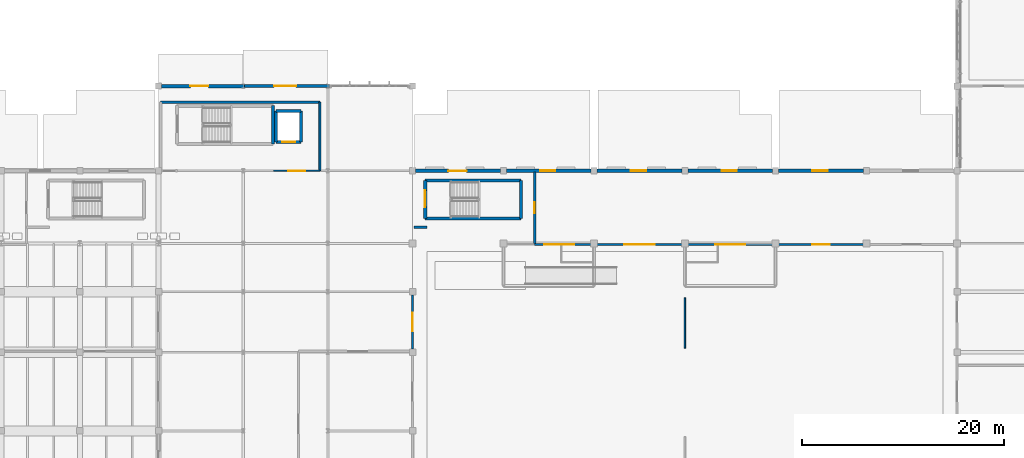
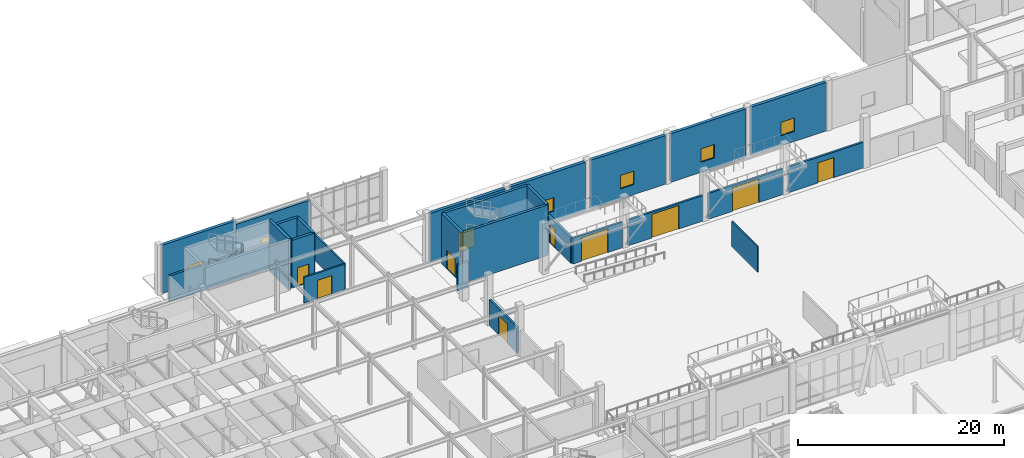
# One storey, part 81 of 110: 27 walls, 12 doors, 4 windows, 16 openings.
"""IFC4 building model written with IfcOpenShell, lengths in metres."""

from ifc_helpers import new_model, si_unit, direction, frame, frame_2d, origin, place, context, subcontext, project, spatial, rectangle, extrude, material, layer, layer_set, type_object, element, fill, save


model = new_model("IFC4")

# Units and contexts
model_context = context("Model", 3, precision=1e-05, world=origin(), true_north=direction((0.0, 1.0)))
body_context = subcontext(model_context, "Body", "Model", "MODEL_VIEW")
ifc_project = project(units=[si_unit("LENGTHUNIT", "METRE"), si_unit("AREAUNIT", "SQUARE_METRE"), si_unit("VOLUMEUNIT", "CUBIC_METRE"), si_unit("PLANEANGLEUNIT", "RADIAN"), si_unit("MASSUNIT", "GRAM", prefix="KILO")], contexts=[model_context])

# Site, building, storey
site_placement = place(None, origin())
site = spatial("IfcSite", under=ifc_project, at=site_placement, CompositionType="ELEMENT")
building_placement = place(site_placement, origin())
building = spatial("IfcBuilding", under=site, at=building_placement, Name="Tizgana Railside Sports Hall", CompositionType="ELEMENT")
storey_placement = place(building_placement, origin())
storey = spatial("IfcBuildingStorey", under=building, at=storey_placement, Name="L00", CompositionType="ELEMENT", Elevation=0.0)

# Wall
ifc_material_1 = material(Name="Concrete C40/50", Category="concrete")
ifc_layer_1 = layer(ifc_material_1, 0.300048828125, Name="Concrete C40/50")
ifc_layer_set_1 = layer_set([ifc_layer_1], Name="Concrete C40/50")
wall_type_1 = type_object("IfcWallType", Name="Core Shear Wall 300", PredefinedType="SHEAR", material=ifc_layer_set_1)
wall_1_placement = place(storey_placement, frame((65.949951171875, 83.050048828125, 0.0), z_axis=(0.0, 0.0, 1.0), x_axis=(0.0, 1.0, 0.0)))
element("IfcWall", 1, at=wall_1_placement, inside=storey, type_object=wall_type_1, Name="L00 C4 Shaft Wall E", PredefinedType="SHEAR", context=body_context, shape_type="SweptSolid", body=[
    extrude(rectangle(XDim=3.800048828125, YDim=0.300048828125, at=frame_2d((1.89990234375, 0.0))), origin(), (0.0, 0.0, 1.0), 6.0),
])

# Wall, opening, door
wall_2_placement = place(storey_placement, frame((66.25, 83.25, 0.0), z_axis=(0.0, 0.0, 1.0), x_axis=(1.0, 0.0, 0.0)))
wall_2 = element("IfcWall", 2, at=wall_2_placement, inside=storey, type_object=wall_type_1, Name="L00 LF-02 Shaft Wall S", PredefinedType="SHEAR", context=body_context, shape_type="SweptSolid", body=[
    extrude(rectangle(XDim=2.5, YDim=0.300048828125, at=frame_2d((1.25, 0.0))), origin(), (0.0, 0.0, 1.0), 5.659912109375),
])
opening_1_placement = place(wall_2_placement, frame((0.60009765625, 0.0, 0.0)))
opening_1 = element("IfcOpeningElement", 3, at=opening_1_placement, cuts=wall_2, Name="Opening D-0076", PredefinedType="OPENING", context=body_context, shape_type="SweptSolid", body=[
    extrude(rectangle(XDim=1.300048828125, YDim=2.199951171875, at=frame_2d((0.64990234375, 1.10009765625))), frame((0.0, 0.159912109375, 0.0), z_axis=(0.0, -1.0, 0.0), x_axis=(1.0, 0.0, 0.0)), (0.0, 0.0, 1.0), 0.320068359375),
])
ifc_material_2 = material(Name="Brushed stainless steel", Category="steel")
door_type_1 = type_object("IfcDoorType", Name="Stretcher Lift Sliding Door 1300x2200", OperationType="NOTDEFINED", PredefinedType="DOOR", material=ifc_material_2)
door_1_placement = place(opening_1_placement, origin())
door_1 = element("IfcDoor", 4, at=door_1_placement, inside=storey, type_object=door_type_1, Name="L00 Door D-0076", OperationType="DOUBLE_DOOR_SLIDING", OverallHeight=2.199951171875, OverallWidth=1.300048828125, PredefinedType="DOOR", context=body_context, shape_type="SweptSolid", body=[
    extrude(rectangle(XDim=1.300048828125, YDim=2.199951171875, at=frame_2d((0.64990234375, 1.10009765625))), frame((0.0, 0.02490234375, 0.0), z_axis=(0.0, -1.0, 0.0), x_axis=(1.0, 0.0, 0.0)), (0.0, 0.0, 1.0), 0.050048828125),
])
fill(opening_1, door_1)

# Walls
wall_3_placement = place(storey_placement, frame((66.25, 86.35009765625, 0.0), z_axis=(0.0, 0.0, 1.0), x_axis=(1.0, 0.0, 0.0)))
element("IfcWall", 5, at=wall_3_placement, inside=storey, type_object=wall_type_1, Name="L00 LF-02 Shaft Wall N", PredefinedType="SHEAR", context=body_context, shape_type="SweptSolid", body=[
    extrude(rectangle(XDim=2.5, YDim=0.300048828125, at=frame_2d((1.25, 0.0))), origin(), (0.0, 0.0, 1.0), 5.659912109375),
])
for number, where, z_axis, x_axis, name in (
    (6, (66.25, 83.25, 0.0), (0.0, 0.0, 1.0), (0.0, 1.0, 0.0), "L00 LF-02 Shaft Wall W"),
    (7, (68.75, 83.25, 0.0), (0.0, 0.0, 1.0), (0.0, 1.0, 0.0), "L00 LF-02 Shaft Wall E"),
):
    element("IfcWall", number, at=place(storey_placement, frame(where, z_axis=z_axis, x_axis=x_axis)), inside=storey, type_object=wall_type_1, Name=name, PredefinedType="SHEAR", context=body_context, shape_type="SweptSolid", body=[
        extrude(rectangle(XDim=3.10009765625, YDim=0.300048828125, at=frame_2d((1.550048828125, 0.0))), origin(), (0.0, 0.0, 1.0), 5.659912109375),
    ])
for number, where, z_axis, x_axis, name in (
    (8, (90.550048828125, 75.64990234375, 0.0), (0.0, 0.0, 1.0), (-1.0, 0.0, 0.0), "L00 C8 Shaft Wall S"),
    (9, (81.050048828125, 79.449951171875, 0.0), (0.0, 0.0, 1.0), (1.0, 0.0, 0.0), "L00 C8 Shaft Wall N"),
):
    element("IfcWall", number, at=place(storey_placement, frame(where, z_axis=z_axis, x_axis=x_axis)), inside=storey, type_object=wall_type_1, Name=name, PredefinedType="SHEAR", context=body_context, shape_type="SweptSolid", body=[
        extrude(rectangle(XDim=9.5, YDim=0.300048828125, at=frame_2d((4.75, 0.0))), origin(), (0.0, 0.0, 1.0), 6.0),
    ])

# Wall, opening, door
wall_4_placement = place(storey_placement, frame((81.050048828125, 75.64990234375, 0.0), z_axis=(0.0, 0.0, 1.0), x_axis=(0.0, 1.0, 0.0)))
wall_4 = element("IfcWall", 10, at=wall_4_placement, inside=storey, type_object=wall_type_1, Name="L00 C8 Shaft Wall W", PredefinedType="SHEAR", context=body_context, shape_type="SweptSolid", body=[
    extrude(rectangle(XDim=3.800048828125, YDim=0.300048828125, at=frame_2d((1.89990234375, 0.0))), origin(), (0.0, 0.0, 1.0), 6.0),
])
opening_2_placement = place(wall_4_placement, frame((1.14990234375, 0.0, 0.0)))
opening_2 = element("IfcOpeningElement", 11, at=opening_2_placement, cuts=wall_4, Name="Opening D-0094", PredefinedType="OPENING", context=body_context, shape_type="SweptSolid", body=[
    extrude(rectangle(XDim=1.64990234375, YDim=2.199951171875, at=frame_2d((0.824951171875, 1.10009765625))), frame((0.0, 0.159912109375, 0.0), z_axis=(0.0, -1.0, 0.0), x_axis=(1.0, 0.0, 0.0)), (0.0, 0.0, 1.0), 0.320068359375),
])
ifc_material_3 = material(Name="Timber fire leaf", Category="wood")
door_type_2 = type_object("IfcDoorType", Name="Stair Core Double Fire Door 1650x2200", OperationType="NOTDEFINED", PredefinedType="DOOR", material=ifc_material_3)
door_2_placement = place(opening_2_placement, origin())
door_2 = element("IfcDoor", 12, at=door_2_placement, inside=storey, type_object=door_type_2, Name="L00 Door D-0094", OperationType="DOUBLE_DOOR_SINGLE_SWING", OverallHeight=2.199951171875, OverallWidth=1.64990234375, PredefinedType="DOOR", context=body_context, shape_type="SweptSolid", body=[
    extrude(rectangle(XDim=1.64990234375, YDim=2.199951171875, at=frame_2d((0.824951171875, 1.10009765625))), frame((0.0, 0.02490234375, 0.0), z_axis=(0.0, -1.0, 0.0), x_axis=(1.0, 0.0, 0.0)), (0.0, 0.0, 1.0), 0.050048828125),
])
fill(opening_2, door_2)

# Walls
wall_5_placement = place(storey_placement, frame((90.550048828125, 75.64990234375, 0.0), z_axis=(0.0, 0.0, 1.0), x_axis=(0.0, 1.0, 0.0)))
element("IfcWall", 13, at=wall_5_placement, inside=storey, type_object=wall_type_1, Name="L00 C8 Shaft Wall E", PredefinedType="SHEAR", context=body_context, shape_type="SweptSolid", body=[
    extrude(rectangle(XDim=3.800048828125, YDim=0.300048828125, at=frame_2d((1.89990234375, 0.0))), origin(), (0.0, 0.0, 1.0), 6.0),
])
ifc_material_4 = material(Name="Acoustic perforated timber", Category="wood")
ifc_layer_2 = layer(ifc_material_4, 0.139892578125, Name="Acoustic perforated timber")
ifc_layer_set_2 = layer_set([ifc_layer_2], Name="Acoustic perforated timber")
wall_type_2 = type_object("IfcWallType", Name="Court Acoustic Divider Wall 140", PredefinedType="MOVABLE", material=ifc_layer_set_2)
wall_6_placement = place(storey_placement, frame((106.800048828125, 62.800048828125, 0.0), z_axis=(0.0, 0.0, 1.0), x_axis=(0.0, 1.0, 0.0)))
element("IfcWall", 14, at=wall_6_placement, inside=storey, type_object=wall_type_2, Name="L00 Partition PWAL-0295", PredefinedType="MOVABLE", context=body_context, shape_type="SweptSolid", body=[
    extrude(rectangle(XDim=5.0, YDim=0.139892578125, at=frame_2d((2.5, 0.0))), origin(), (0.0, 0.0, 1.0), 3.050048828125),
])

# Wall, opening, door
ifc_material_5 = material(Name="Masonry blockwork", Category="masonry")
ifc_layer_3 = layer(ifc_material_5, 0.219970703125, Name="Masonry blockwork")
ifc_layer_set_3 = layer_set([ifc_layer_3], Name="Masonry blockwork")
wall_type_3 = type_object("IfcWallType", Name="Equipment Store Fire Wall 220", PredefinedType="STANDARD", material=ifc_layer_set_3)
wall_7_placement = place(storey_placement, frame((91.89990234375, 73.10009765625, 0.0), z_axis=(0.0, 0.0, 1.0), x_axis=(1.0, 0.0, 0.0)))
wall_7 = element("IfcWall", 15, at=wall_7_placement, inside=storey, type_object=wall_type_3, Name="L00 Partition PWAL-0263", PredefinedType="STANDARD", context=body_context, shape_type="SweptSolid", body=[
    extrude(rectangle(XDim=5.60009765625, YDim=0.219970703125, at=frame_2d((2.800048828125, 0.0))), origin(), (0.0, 0.0, 1.0), 3.050048828125),
])
opening_3_placement = place(wall_7_placement, frame((0.949951171875, 0.0, 0.0)))
opening_3 = element("IfcOpeningElement", 16, at=opening_3_placement, cuts=wall_7, Name="Opening D-0251", PredefinedType="OPENING", context=body_context, shape_type="SweptSolid", body=[
    extrude(rectangle(XDim=3.0, YDim=2.800048828125, at=frame_2d((1.5, 1.39990234375))), frame((0.0, 0.119873046875, 0.0), z_axis=(0.0, -1.0, 0.0), x_axis=(1.0, 0.0, 0.0)), (0.0, 0.0, 1.0), 0.239990234375),
])
ifc_material_6 = material(Name="Galvanised steel sheet", Category="steel")
door_type_3 = type_object("IfcDoorType", Name="Court Acoustic Equipment Shutter 3000x2800", OperationType="NOTDEFINED", PredefinedType="GATE", material=ifc_material_6)
door_3_placement = place(opening_3_placement, origin())
door_3 = element("IfcDoor", 17, at=door_3_placement, inside=storey, type_object=door_type_3, Name="L00 Door D-0251", OperationType="DOUBLE_DOOR_SINGLE_SWING", OverallHeight=2.800048828125, OverallWidth=3.0, PredefinedType="GATE", context=body_context, shape_type="SweptSolid", body=[
    extrude(rectangle(XDim=3.0, YDim=2.800048828125, at=frame_2d((1.5, 1.39990234375))), frame((0.0, 0.02490234375, 0.0), z_axis=(0.0, -1.0, 0.0), x_axis=(1.0, 0.0, 0.0)), (0.0, 0.0, 1.0), 0.050048828125),
])
fill(opening_3, door_3)

wall_8_placement = place(storey_placement, frame((98.10009765625, 73.10009765625, 0.0), z_axis=(0.0, 0.0, 1.0), x_axis=(1.0, 0.0, 0.0)))
wall_8 = element("IfcWall", 18, at=wall_8_placement, inside=storey, type_object=wall_type_3, Name="L00 Partition PWAL-0264", PredefinedType="STANDARD", context=body_context, shape_type="SweptSolid", body=[
    extrude(rectangle(XDim=8.39990234375, YDim=0.219970703125, at=frame_2d((4.199951171875, 0.0))), origin(), (0.0, 0.0, 1.0), 3.050048828125),
])
opening_4_placement = place(wall_8_placement, frame((2.699951171875, 0.0, 0.0)))
opening_4 = element("IfcOpeningElement", 19, at=opening_4_placement, cuts=wall_8, Name="Opening D-0252", PredefinedType="OPENING", context=body_context, shape_type="SweptSolid", body=[
    extrude(rectangle(XDim=3.0, YDim=2.800048828125, at=frame_2d((1.5, 1.39990234375))), frame((0.0, 0.119873046875, 0.0), z_axis=(0.0, -1.0, 0.0), x_axis=(1.0, 0.0, 0.0)), (0.0, 0.0, 1.0), 0.239990234375),
])
door_4_placement = place(opening_4_placement, origin())
door_4 = element("IfcDoor", 20, at=door_4_placement, inside=storey, type_object=door_type_3, Name="L00 Door D-0252", OperationType="DOUBLE_DOOR_SINGLE_SWING", OverallHeight=2.800048828125, OverallWidth=3.0, PredefinedType="GATE", context=body_context, shape_type="SweptSolid", body=[
    extrude(rectangle(XDim=3.0, YDim=2.800048828125, at=frame_2d((1.5, 1.39990234375))), frame((0.0, 0.02490234375, 0.0), z_axis=(0.0, -1.0, 0.0), x_axis=(1.0, 0.0, 0.0)), (0.0, 0.0, 1.0), 0.050048828125),
])
fill(opening_4, door_4)

wall_9_placement = place(storey_placement, frame((107.10009765625, 73.10009765625, 0.0), z_axis=(0.0, 0.0, 1.0), x_axis=(1.0, 0.0, 0.0)))
wall_9 = element("IfcWall", 21, at=wall_9_placement, inside=storey, type_object=wall_type_3, Name="L00 Partition PWAL-0265", PredefinedType="STANDARD", context=body_context, shape_type="SweptSolid", body=[
    extrude(rectangle(XDim=8.39990234375, YDim=0.219970703125, at=frame_2d((4.199951171875, 0.0))), origin(), (0.0, 0.0, 1.0), 3.050048828125),
])
opening_5_placement = place(wall_9_placement, frame((2.699951171875, 0.0, 0.0)))
opening_5 = element("IfcOpeningElement", 22, at=opening_5_placement, cuts=wall_9, Name="Opening D-0253", PredefinedType="OPENING", context=body_context, shape_type="SweptSolid", body=[
    extrude(rectangle(XDim=3.0, YDim=2.800048828125, at=frame_2d((1.5, 1.39990234375))), frame((0.0, 0.119873046875, 0.0), z_axis=(0.0, -1.0, 0.0), x_axis=(1.0, 0.0, 0.0)), (0.0, 0.0, 1.0), 0.239990234375),
])
door_5_placement = place(opening_5_placement, origin())
door_5 = element("IfcDoor", 23, at=door_5_placement, inside=storey, type_object=door_type_3, Name="L00 Door D-0253", OperationType="DOUBLE_DOOR_SINGLE_SWING", OverallHeight=2.800048828125, OverallWidth=3.0, PredefinedType="GATE", context=body_context, shape_type="SweptSolid", body=[
    extrude(rectangle(XDim=3.0, YDim=2.800048828125, at=frame_2d((1.5, 1.39990234375))), frame((0.0, 0.02490234375, 0.0), z_axis=(0.0, -1.0, 0.0), x_axis=(1.0, 0.0, 0.0)), (0.0, 0.0, 1.0), 0.050048828125),
])
fill(opening_5, door_5)

wall_10_placement = place(storey_placement, frame((116.10009765625, 73.10009765625, 0.0), z_axis=(0.0, 0.0, 1.0), x_axis=(1.0, 0.0, 0.0)))
wall_10 = element("IfcWall", 24, at=wall_10_placement, inside=storey, type_object=wall_type_3, Name="L00 Partition PWAL-0266", PredefinedType="STANDARD", context=body_context, shape_type="SweptSolid", body=[
    extrude(rectangle(XDim=8.39990234375, YDim=0.219970703125, at=frame_2d((4.199951171875, 0.0))), origin(), (0.0, 0.0, 1.0), 3.050048828125),
])
opening_6_placement = place(wall_10_placement, frame((3.324951171875, 0.0, 0.0)))
opening_6 = element("IfcOpeningElement", 25, at=opening_6_placement, cuts=wall_10, Name="Opening D-0254", PredefinedType="OPENING", context=body_context, shape_type="SweptSolid", body=[
    extrude(rectangle(XDim=1.75, YDim=2.39990234375, at=frame_2d((0.875, 1.199951171875))), frame((0.0, 0.119873046875, 0.0), z_axis=(0.0, -1.0, 0.0), x_axis=(1.0, 0.0, 0.0)), (0.0, 0.0, 1.0), 0.239990234375),
])
door_type_4 = type_object("IfcDoorType", Name="Equipment Store Double Fire Door 1750x2400", OperationType="NOTDEFINED", PredefinedType="DOOR", material=ifc_material_6)
door_6_placement = place(opening_6_placement, origin())
door_6 = element("IfcDoor", 26, at=door_6_placement, inside=storey, type_object=door_type_4, Name="L00 Door D-0254", OperationType="DOUBLE_DOOR_SINGLE_SWING", OverallHeight=2.39990234375, OverallWidth=1.75, PredefinedType="DOOR", context=body_context, shape_type="SweptSolid", body=[
    extrude(rectangle(XDim=1.75, YDim=2.39990234375, at=frame_2d((0.875, 1.199951171875))), frame((0.0, 0.02490234375, 0.0), z_axis=(0.0, -1.0, 0.0), x_axis=(1.0, 0.0, 0.0)), (0.0, 0.0, 1.0), 0.050048828125),
])
fill(opening_6, door_6)

wall_11_placement = place(storey_placement, frame((79.800048828125, 62.699951171875, 0.0), z_axis=(0.0, 0.0, 1.0), x_axis=(0.0, 1.0, 0.0)))
wall_11 = element("IfcWall", 27, at=wall_11_placement, inside=storey, type_object=wall_type_3, Name="L00 Partition PWAL-0276", PredefinedType="STANDARD", context=body_context, shape_type="SweptSolid", body=[
    extrude(rectangle(XDim=5.400146484375, YDim=0.219970703125, at=frame_2d((2.7001953125, 0.0))), origin(), (0.0, 0.0, 1.0), 3.050048828125),
])
opening_7_placement = place(wall_11_placement, frame((1.800048828125, 0.0, 0.0)))
opening_7 = element("IfcOpeningElement", 28, at=opening_7_placement, cuts=wall_11, Name="Opening D-0264", PredefinedType="OPENING", context=body_context, shape_type="SweptSolid", body=[
    extrude(rectangle(XDim=1.800048828125, YDim=2.300048828125, at=frame_2d((0.89990234375, 1.14990234375))), frame((0.0, 0.119873046875, 0.0), z_axis=(0.0, -1.0, 0.0), x_axis=(1.0, 0.0, 0.0)), (0.0, 0.0, 1.0), 0.239990234375),
])
ifc_material_7 = material(Name="Solid beech timber", Category="wood")
door_type_5 = type_object("IfcDoorType", Name="Spectator Vomitory Double Door 1800x2300", OperationType="NOTDEFINED", PredefinedType="DOOR", material=ifc_material_7)
door_7_placement = place(opening_7_placement, origin())
door_7 = element("IfcDoor", 29, at=door_7_placement, inside=storey, type_object=door_type_5, Name="L00 Door D-0264", OperationType="DOUBLE_DOOR_SINGLE_SWING", OverallHeight=2.300048828125, OverallWidth=1.800048828125, PredefinedType="DOOR", context=body_context, shape_type="SweptSolid", body=[
    extrude(rectangle(XDim=1.800048828125, YDim=2.300048828125, at=frame_2d((0.89990234375, 1.14990234375))), frame((0.0, 0.02490234375, 0.0), z_axis=(0.0, -1.0, 0.0), x_axis=(1.0, 0.0, 0.0)), (0.0, 0.0, 1.0), 0.050048828125),
])
fill(opening_7, door_7)

ifc_material_8 = material(Name="Concrete C35/45", Category="concrete")
ifc_layer_4 = layer(ifc_material_8, 0.340087890625, Name="Concrete C35/45")
ifc_layer_set_4 = layer_set([ifc_layer_4], Name="Concrete C35/45")
wall_type_4 = type_object("IfcWallType", Name="Exterior Insulated Concrete Wall 340", PredefinedType="STANDARD", material=ifc_layer_set_4)
wall_12_placement = place(storey_placement, frame((80.090087890625, 80.39990234375, 0.0), z_axis=(0.0, 0.0, 1.0), x_axis=(1.0, 0.0, 0.0)))
wall_12 = element("IfcWall", 30, at=wall_12_placement, inside=storey, type_object=wall_type_4, Name="L00 Exterior Wall EWAL-0028", PredefinedType="STANDARD", context=body_context, shape_type="SweptSolid", body=[
    extrude(rectangle(XDim=8.419921875, YDim=0.340087890625, at=frame_2d((4.2099609375, 0.0))), origin(), (0.0, 0.0, 1.0), 5.760009765625),
])
opening_8_placement = place(wall_12_placement, frame((3.260009765625, 0.0, 0.0)))
opening_8 = element("IfcOpeningElement", 31, at=opening_8_placement, cuts=wall_12, Name="Opening D-0009", PredefinedType="OPENING", context=body_context, shape_type="SweptSolid", body=[
    extrude(rectangle(XDim=1.800048828125, YDim=2.25, at=frame_2d((0.89990234375, 1.125))), frame((0.0, 0.179931640625, 0.0), z_axis=(0.0, -1.0, 0.0), x_axis=(1.0, 0.0, 0.0)), (0.0, 0.0, 1.0), 0.360107421875),
])
door_type_6 = type_object("IfcDoorType", Name="Protected Stair Final Exit Door 1800x2250", OperationType="NOTDEFINED", PredefinedType="DOOR", material=ifc_material_6)
door_8_placement = place(opening_8_placement, origin())
door_8 = element("IfcDoor", 32, at=door_8_placement, inside=storey, type_object=door_type_6, Name="L00 Door D-0009", OperationType="DOUBLE_DOOR_SINGLE_SWING", OverallHeight=2.25, OverallWidth=1.800048828125, PredefinedType="DOOR", context=body_context, shape_type="SweptSolid", body=[
    extrude(rectangle(XDim=1.800048828125, YDim=2.25, at=frame_2d((0.89990234375, 1.125))), frame((0.0, 0.02490234375, 0.0), z_axis=(0.0, -1.0, 0.0), x_axis=(1.0, 0.0, 0.0)), (0.0, 0.0, 1.0), 0.050048828125),
])
fill(opening_8, door_8)

# Wall, opening, window
wall_13_placement = place(storey_placement, frame((89.090087890625, 80.39990234375, 0.0), z_axis=(0.0, 0.0, 1.0), x_axis=(1.0, 0.0, 0.0)))
wall_13 = element("IfcWall", 33, at=wall_13_placement, inside=storey, type_object=wall_type_4, Name="L00 Exterior Wall EWAL-0033", PredefinedType="STANDARD", context=body_context, shape_type="SweptSolid", body=[
    extrude(rectangle(XDim=8.419921875, YDim=0.340087890625, at=frame_2d((4.2099609375, 0.0))), origin(), (0.0, 0.0, 1.0), 5.760009765625),
])
opening_9_placement = place(wall_13_placement, frame((3.360107421875, 0.0, 1.199951171875)))
opening_9 = element("IfcOpeningElement", 34, at=opening_9_placement, cuts=wall_13, Name="Opening W-0026", PredefinedType="OPENING", context=body_context, shape_type="SweptSolid", body=[
    extrude(rectangle(XDim=1.5, YDim=1.60009765625, at=frame_2d((0.75, 0.800048828125))), frame((0.0, 0.179931640625, 0.0), z_axis=(0.0, -1.0, 0.0), x_axis=(1.0, 0.0, 0.0)), (0.0, 0.0, 1.0), 0.360107421875),
])
ifc_material_9 = material(Name="Double low-E laminated glass", Category="glass")
window_type = type_object("IfcWindowType", Name="Referees Suite Window 1500x1600", PartitioningType="SINGLE_PANEL", PredefinedType="WINDOW", material=ifc_material_9)
window_1_placement = place(opening_9_placement, origin())
window_1 = element("IfcWindow", 35, at=window_1_placement, inside=storey, type_object=window_type, Name="L00 Window W-0026", OverallHeight=1.60009765625, OverallWidth=1.5, PartitioningType="SINGLE_PANEL", PredefinedType="WINDOW", context=body_context, shape_type="SweptSolid", body=[
    extrude(rectangle(XDim=1.5, YDim=1.60009765625, at=frame_2d((0.75, 0.800048828125))), frame((0.0, 0.030029296875, 0.0), z_axis=(0.0, -1.0, 0.0), x_axis=(1.0, 0.0, 0.0)), (0.0, 0.0, 1.0), 0.06005859375),
])
fill(opening_9, window_1)

wall_14_placement = place(storey_placement, frame((98.090087890625, 80.39990234375, 0.0), z_axis=(0.0, 0.0, 1.0), x_axis=(1.0, 0.0, 0.0)))
wall_14 = element("IfcWall", 36, at=wall_14_placement, inside=storey, type_object=wall_type_4, Name="L00 Exterior Wall EWAL-0037", PredefinedType="STANDARD", context=body_context, shape_type="SweptSolid", body=[
    extrude(rectangle(XDim=8.419921875, YDim=0.340087890625, at=frame_2d((4.2099609375, 0.0))), origin(), (0.0, 0.0, 1.0), 5.760009765625),
])
opening_10_placement = place(wall_14_placement, frame((3.360107421875, 0.0, 1.199951171875)))
opening_10 = element("IfcOpeningElement", 37, at=opening_10_placement, cuts=wall_14, Name="Opening W-0028", PredefinedType="OPENING", context=body_context, shape_type="SweptSolid", body=[
    extrude(rectangle(XDim=1.5, YDim=1.60009765625, at=frame_2d((0.75, 0.800048828125))), frame((0.0, 0.179931640625, 0.0), z_axis=(0.0, -1.0, 0.0), x_axis=(1.0, 0.0, 0.0)), (0.0, 0.0, 1.0), 0.360107421875),
])
window_2_placement = place(opening_10_placement, origin())
window_2 = element("IfcWindow", 38, at=window_2_placement, inside=storey, type_object=window_type, Name="L00 Window W-0028", OverallHeight=1.60009765625, OverallWidth=1.5, PartitioningType="SINGLE_PANEL", PredefinedType="WINDOW", context=body_context, shape_type="SweptSolid", body=[
    extrude(rectangle(XDim=1.5, YDim=1.60009765625, at=frame_2d((0.75, 0.800048828125))), frame((0.0, 0.030029296875, 0.0), z_axis=(0.0, -1.0, 0.0), x_axis=(1.0, 0.0, 0.0)), (0.0, 0.0, 1.0), 0.06005859375),
])
fill(opening_10, window_2)

wall_15_placement = place(storey_placement, frame((107.090087890625, 80.39990234375, 0.0), z_axis=(0.0, 0.0, 1.0), x_axis=(1.0, 0.0, 0.0)))
wall_15 = element("IfcWall", 39, at=wall_15_placement, inside=storey, type_object=wall_type_4, Name="L00 Exterior Wall EWAL-0042", PredefinedType="STANDARD", context=body_context, shape_type="SweptSolid", body=[
    extrude(rectangle(XDim=8.419921875, YDim=0.340087890625, at=frame_2d((4.2099609375, 0.0))), origin(), (0.0, 0.0, 1.0), 5.760009765625),
])
opening_11_placement = place(wall_15_placement, frame((3.360107421875, 0.0, 1.199951171875)))
opening_11 = element("IfcOpeningElement", 40, at=opening_11_placement, cuts=wall_15, Name="Opening W-0033", PredefinedType="OPENING", context=body_context, shape_type="SweptSolid", body=[
    extrude(rectangle(XDim=1.5, YDim=1.60009765625, at=frame_2d((0.75, 0.800048828125))), frame((0.0, 0.179931640625, 0.0), z_axis=(0.0, -1.0, 0.0), x_axis=(1.0, 0.0, 0.0)), (0.0, 0.0, 1.0), 0.360107421875),
])
window_3_placement = place(opening_11_placement, origin())
window_3 = element("IfcWindow", 41, at=window_3_placement, inside=storey, type_object=window_type, Name="L00 Window W-0033", OverallHeight=1.60009765625, OverallWidth=1.5, PartitioningType="SINGLE_PANEL", PredefinedType="WINDOW", context=body_context, shape_type="SweptSolid", body=[
    extrude(rectangle(XDim=1.5, YDim=1.60009765625, at=frame_2d((0.75, 0.800048828125))), frame((0.0, 0.030029296875, 0.0), z_axis=(0.0, -1.0, 0.0), x_axis=(1.0, 0.0, 0.0)), (0.0, 0.0, 1.0), 0.06005859375),
])
fill(opening_11, window_3)

wall_16_placement = place(storey_placement, frame((116.090087890625, 80.39990234375, 0.0), z_axis=(0.0, 0.0, 1.0), x_axis=(1.0, 0.0, 0.0)))
wall_16 = element("IfcWall", 42, at=wall_16_placement, inside=storey, type_object=wall_type_4, Name="L00 Exterior Wall EWAL-0046", PredefinedType="STANDARD", context=body_context, shape_type="SweptSolid", body=[
    extrude(rectangle(XDim=8.419921875, YDim=0.340087890625, at=frame_2d((4.2099609375, 0.0))), origin(), (0.0, 0.0, 1.0), 5.760009765625),
])
opening_12_placement = place(wall_16_placement, frame((3.360107421875, 0.0, 1.199951171875)))
opening_12 = element("IfcOpeningElement", 43, at=opening_12_placement, cuts=wall_16, Name="Opening W-0035", PredefinedType="OPENING", context=body_context, shape_type="SweptSolid", body=[
    extrude(rectangle(XDim=1.5, YDim=1.60009765625, at=frame_2d((0.75, 0.800048828125))), frame((0.0, 0.179931640625, 0.0), z_axis=(0.0, -1.0, 0.0), x_axis=(1.0, 0.0, 0.0)), (0.0, 0.0, 1.0), 0.360107421875),
])
window_4_placement = place(opening_12_placement, origin())
window_4 = element("IfcWindow", 44, at=window_4_placement, inside=storey, type_object=window_type, Name="L00 Window W-0035", OverallHeight=1.60009765625, OverallWidth=1.5, PartitioningType="SINGLE_PANEL", PredefinedType="WINDOW", context=body_context, shape_type="SweptSolid", body=[
    extrude(rectangle(XDim=1.5, YDim=1.60009765625, at=frame_2d((0.75, 0.800048828125))), frame((0.0, 0.030029296875, 0.0), z_axis=(0.0, -1.0, 0.0), x_axis=(1.0, 0.0, 0.0)), (0.0, 0.0, 1.0), 0.06005859375),
])
fill(opening_12, window_4)

# Wall, opening, door
wall_17_placement = place(storey_placement, frame((54.889892578125, 88.800048828125, 0.0), z_axis=(0.0, 0.0, 1.0), x_axis=(1.0, 0.0, 0.0)))
wall_17 = element("IfcWall", 45, at=wall_17_placement, inside=storey, type_object=wall_type_4, Name="L00 Exterior Wall EWAL-0059", PredefinedType="STANDARD", context=body_context, shape_type="SweptSolid", body=[
    extrude(rectangle(XDim=8.2451171875, YDim=0.340087890625, at=frame_2d((4.12255859375, 0.0))), origin(), (0.0, 0.0, 1.0), 5.72998046875),
])
opening_13_placement = place(wall_17_placement, frame((2.860107421875, 0.0, 0.0)))
opening_13 = element("IfcOpeningElement", 46, at=opening_13_placement, cuts=wall_17, Name="Opening D-0018", PredefinedType="OPENING", context=body_context, shape_type="SweptSolid", body=[
    extrude(rectangle(XDim=1.800048828125, YDim=2.25, at=frame_2d((0.89990234375, 1.125))), frame((0.0, 0.179931640625, 0.0), z_axis=(0.0, -1.0, 0.0), x_axis=(1.0, 0.0, 0.0)), (0.0, 0.0, 1.0), 0.360107421875),
])
door_9_placement = place(opening_13_placement, origin())
door_9 = element("IfcDoor", 47, at=door_9_placement, inside=storey, type_object=door_type_6, Name="L00 Door D-0018", OperationType="DOUBLE_DOOR_SINGLE_SWING", OverallHeight=2.25, OverallWidth=1.800048828125, PredefinedType="DOOR", context=body_context, shape_type="SweptSolid", body=[
    extrude(rectangle(XDim=1.800048828125, YDim=2.25, at=frame_2d((0.89990234375, 1.125))), frame((0.0, 0.02490234375, 0.0), z_axis=(0.0, -1.0, 0.0), x_axis=(1.0, 0.0, 0.0)), (0.0, 0.0, 1.0), 0.050048828125),
])
fill(opening_13, door_9)

ifc_material_10 = material(Name="Cross-laminated timber CL24h", Category="wood")
ifc_layer_5 = layer(ifc_material_10, 0.2900390625, Name="Cross-laminated timber CL24h")
ifc_layer_set_5 = layer_set([ifc_layer_5], Name="Cross-laminated timber CL24h")
wall_type_5 = type_object("IfcWallType", Name="Exterior Timber-Backed Wall 290", PredefinedType="STANDARD", material=ifc_layer_set_5)
wall_18_placement = place(storey_placement, frame((63.139892578125, 88.800048828125, 0.0), z_axis=(0.0, 0.0, 1.0), x_axis=(1.0, 0.0, 0.0)))
wall_18 = element("IfcWall", 48, at=wall_18_placement, inside=storey, type_object=wall_type_5, Name="L00 Exterior Wall EWAL-0060", PredefinedType="STANDARD", context=body_context, shape_type="SweptSolid", body=[
    extrude(rectangle(XDim=8.4150390625, YDim=0.2900390625, at=frame_2d((4.20751953125, 0.0))), origin(), (0.0, 0.0, 1.0), 5.260986328125),
])
opening_14_placement = place(wall_18_placement, frame((2.909912109375, 0.0, 0.0)))
opening_14 = element("IfcOpeningElement", 49, at=opening_14_placement, cuts=wall_18, Name="Opening D-0019", PredefinedType="OPENING", context=body_context, shape_type="SweptSolid", body=[
    extrude(rectangle(XDim=2.199951171875, YDim=2.60009765625, at=frame_2d((1.10009765625, 1.300048828125))), frame((0.0, 0.155029296875, 0.0), z_axis=(0.0, -1.0, 0.0), x_axis=(1.0, 0.0, 0.0)), (0.0, 0.0, 1.0), 0.31005859375),
])
ifc_material_11 = material(Name="Anodised aluminium and glass", Category="aluminium")
door_type_7 = type_object("IfcDoorType", Name="Main Foyer Double Entrance Door 2200x2600", OperationType="NOTDEFINED", PredefinedType="DOOR", material=ifc_material_11)
door_10_placement = place(opening_14_placement, origin())
door_10 = element("IfcDoor", 50, at=door_10_placement, inside=storey, type_object=door_type_7, Name="L00 Door D-0019", OperationType="DOUBLE_DOOR_SINGLE_SWING", OverallHeight=2.60009765625, OverallWidth=2.199951171875, PredefinedType="DOOR", context=body_context, shape_type="SweptSolid", body=[
    extrude(rectangle(XDim=2.199951171875, YDim=2.60009765625, at=frame_2d((1.10009765625, 1.300048828125))), frame((0.0, 0.02490234375, 0.0), z_axis=(0.0, -1.0, 0.0), x_axis=(1.0, 0.0, 0.0)), (0.0, 0.0, 1.0), 0.050048828125),
])
fill(opening_14, door_10)

# Walls
ifc_layer_6 = layer(ifc_material_8, 0.239990234375, Name="Concrete C35/45")
ifc_layer_set_6 = layer_set([ifc_layer_6], Name="Concrete C35/45")
wall_type_6 = type_object("IfcWallType", Name="Firefighting Lobby Wall 240", PredefinedType="STANDARD", material=ifc_layer_set_6)
wall_19_placement = place(storey_placement, frame((54.800048828125, 87.199951171875, 0.0), z_axis=(0.0, 0.0, 1.0), x_axis=(1.0, 0.0, 0.0)))
element("IfcWall", 51, at=wall_19_placement, inside=storey, type_object=wall_type_6, Name="L00 Partition PWAL-0317", PredefinedType="STANDARD", context=body_context, shape_type="SweptSolid", body=[
    extrude(rectangle(XDim=15.800048828125, YDim=0.239990234375, at=frame_2d((7.89990234375, 0.0))), origin(), (0.0, 0.0, 1.0), 3.050048828125),
])
wall_20_placement = place(storey_placement, frame((79.949951171875, 74.800048828125, 0.0), z_axis=(0.0, 0.0, 1.0), x_axis=(1.0, 0.0, 0.0)))
element("IfcWall", 52, at=wall_20_placement, inside=storey, type_object=wall_type_6, Name="L00 Partition PWAL-0384", PredefinedType="STANDARD", context=body_context, shape_type="SweptSolid", body=[
    extrude(rectangle(XDim=1.25, YDim=0.239990234375, at=frame_2d((0.625, 0.0))), origin(), (0.0, 0.0, 1.0), 3.050048828125),
])

# Wall, opening, door
wall_21_placement = place(storey_placement, frame((91.89990234375, 73.199951171875, 0.0), z_axis=(0.0, 0.0, 1.0), x_axis=(0.0, 1.0, 0.0)))
wall_21 = element("IfcWall", 53, at=wall_21_placement, inside=storey, type_object=wall_type_6, Name="L00 Partition PWAL-0385", PredefinedType="STANDARD", context=body_context, shape_type="SweptSolid", body=[
    extrude(rectangle(XDim=7.10009765625, YDim=0.239990234375, at=frame_2d((3.550048828125, 0.0))), origin(), (0.0, 0.0, 1.0), 3.050048828125),
])
opening_15_placement = place(wall_21_placement, frame((3.0, 0.0, 0.0)))
opening_15 = element("IfcOpeningElement", 54, at=opening_15_placement, cuts=wall_21, Name="Opening D-0327", PredefinedType="OPENING", context=body_context, shape_type="SweptSolid", body=[
    extrude(rectangle(XDim=1.10009765625, YDim=2.199951171875, at=frame_2d((0.550048828125, 1.10009765625))), frame((0.0, 0.1298828125, 0.0), z_axis=(0.0, -1.0, 0.0), x_axis=(1.0, 0.0, 0.0)), (0.0, 0.0, 1.0), 0.260009765625),
])
door_type_8 = type_object("IfcDoorType", Name="Firefighting Lobby Fire Door 1100x2200", OperationType="NOTDEFINED", PredefinedType="DOOR", material=ifc_material_3)
door_11_placement = place(opening_15_placement, origin())
door_11 = element("IfcDoor", 55, at=door_11_placement, inside=storey, type_object=door_type_8, Name="L00 Door D-0327", OperationType="SINGLE_SWING_RIGHT", OverallHeight=2.199951171875, OverallWidth=1.10009765625, PredefinedType="DOOR", context=body_context, shape_type="SweptSolid", body=[
    extrude(rectangle(XDim=1.10009765625, YDim=2.199951171875, at=frame_2d((0.550048828125, 1.10009765625))), frame((0.0, 0.02490234375, 0.0), z_axis=(0.0, -1.0, 0.0), x_axis=(1.0, 0.0, 0.0)), (0.0, 0.0, 1.0), 0.050048828125),
])
fill(opening_15, door_11)

# Wall
ifc_layer_7 = layer(ifc_material_5, 0.179931640625, Name="Masonry blockwork")
ifc_layer_set_7 = layer_set([ifc_layer_7], Name="Masonry blockwork")
wall_type_7 = type_object("IfcWallType", Name="Riser and Shaft Wall 180", PredefinedType="STANDARD", material=ifc_layer_set_7)
wall_22_placement = place(storey_placement, frame((70.60009765625, 80.39990234375, 0.0), z_axis=(0.0, 0.0, 1.0), x_axis=(0.0, 1.0, 0.0)))
element("IfcWall", 56, at=wall_22_placement, inside=storey, type_object=wall_type_7, Name="L00 Partition PWAL-0318", PredefinedType="STANDARD", context=body_context, shape_type="SweptSolid", body=[
    extrude(rectangle(XDim=6.800048828125, YDim=0.179931640625, at=frame_2d((3.39990234375, 0.0))), origin(), (0.0, 0.0, 1.0), 3.050048828125),
])

# Wall, opening, door
wall_23_placement = place(storey_placement, frame((66.0, 80.39990234375, 0.0), z_axis=(0.0, 0.0, 1.0), x_axis=(1.0, 0.0, 0.0)))
wall_23 = element("IfcWall", 57, at=wall_23_placement, inside=storey, type_object=wall_type_7, Name="L00 Partition PWAL-0319", PredefinedType="STANDARD", context=body_context, shape_type="SweptSolid", body=[
    extrude(rectangle(XDim=4.60009765625, YDim=0.179931640625, at=frame_2d((2.300048828125, 0.0))), origin(), (0.0, 0.0, 1.0), 3.050048828125),
])
opening_16_placement = place(wall_23_placement, frame((1.47509765625, 0.0, 0.0)))
opening_16 = element("IfcOpeningElement", 58, at=opening_16_placement, cuts=wall_23, Name="Opening D-0291", PredefinedType="OPENING", context=body_context, shape_type="SweptSolid", body=[
    extrude(rectangle(XDim=1.64990234375, YDim=2.199951171875, at=frame_2d((0.824951171875, 1.10009765625))), frame((0.0, 0.099853515625, 0.0), z_axis=(0.0, -1.0, 0.0), x_axis=(1.0, 0.0, 0.0)), (0.0, 0.0, 1.0), 0.199951171875),
])
door_12_placement = place(opening_16_placement, origin())
door_12 = element("IfcDoor", 59, at=door_12_placement, inside=storey, type_object=door_type_2, Name="L00 Door D-0291", OperationType="DOUBLE_DOOR_SINGLE_SWING", OverallHeight=2.199951171875, OverallWidth=1.64990234375, PredefinedType="DOOR", context=body_context, shape_type="SweptSolid", body=[
    extrude(rectangle(XDim=1.64990234375, YDim=2.199951171875, at=frame_2d((0.824951171875, 1.10009765625))), frame((0.0, 0.02490234375, 0.0), z_axis=(0.0, -1.0, 0.0), x_axis=(1.0, 0.0, 0.0)), (0.0, 0.0, 1.0), 0.050048828125),
])
fill(opening_16, door_12)

save(model, "model.ifc")
